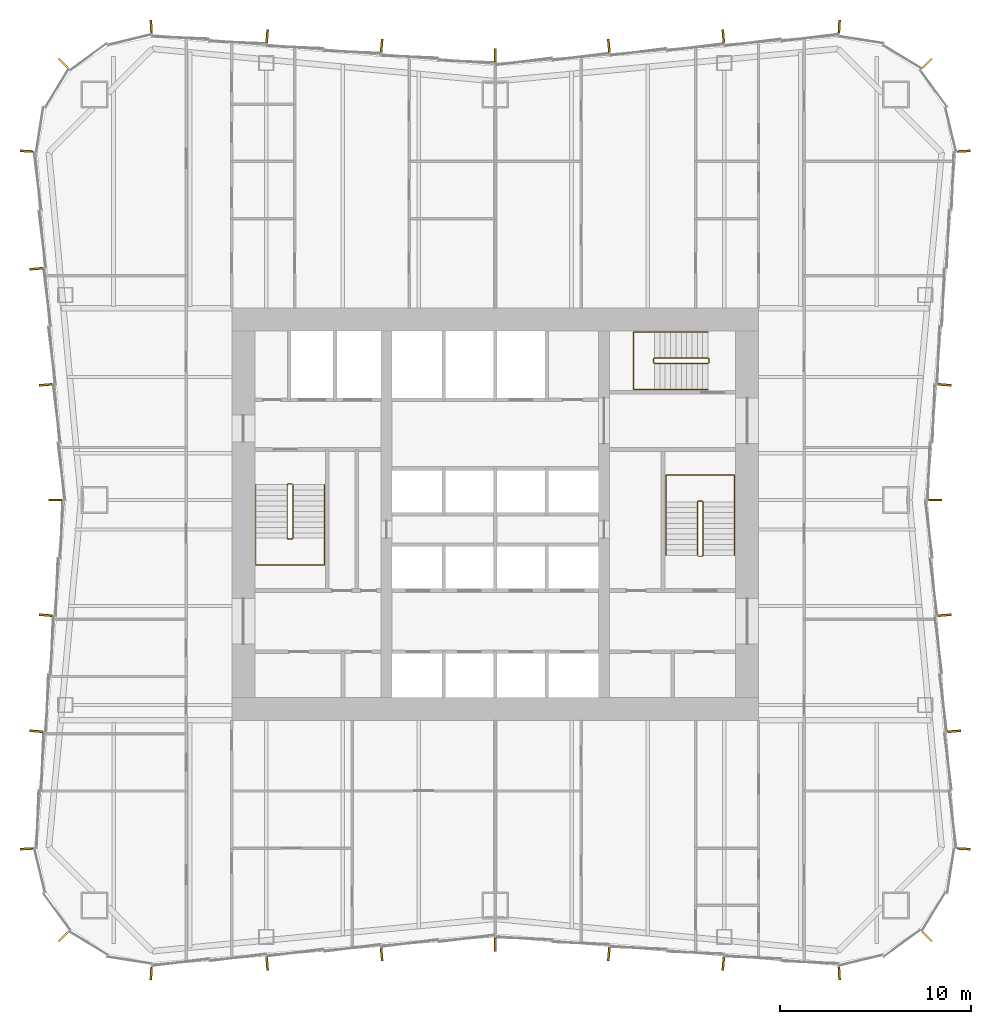
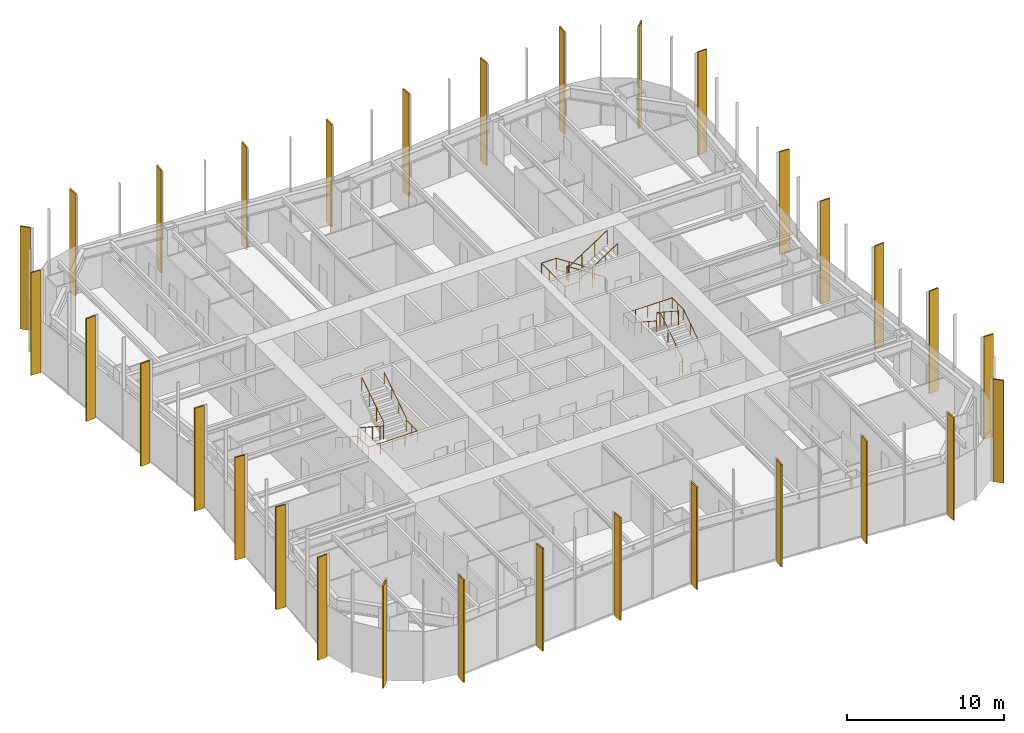
# One storey, part 13 of 13: 31 shading devices, 6 railings.
"""IFC4 building model written with IfcOpenShell, lengths in metres."""

import ifcopenshell
import ifcopenshell.guid

model = None  # the IFC model being written
_history = None  # IfcOwnerHistory: only IFC2X3 demands one
_inside = {}  # id of a spatial element -> (the spatial element, [elements in it])
_under = {}  # id of a project, library or spatial element -> (it, [spatial elements below it])
_declared = {}  # id of a project -> (the project, [libraries it declares])
_typed = {}  # id of a type object -> (the type object, [elements of that type])
_made_of = {}  # id of a material, layer set ... -> (it, [elements and type objects made of it])


def new_model(schema):
    """Start an empty IFC model of exactly this schema.

    Asked for "IFC4X3", IfcOpenShell would pick the latest addendum, in which some entities
    have other attributes; the version numbers below select the first issue.
    IFC2X3 requires an IfcOwnerHistory on every rooted entity: one is made here for all.
    """
    global model, _history
    if schema == "IFC4X3":
        model = ifcopenshell.file(schema_version=(4, 3, 0, 0))
    else:
        model = ifcopenshell.file(schema=schema)
    _inside.clear()
    _under.clear()
    _declared.clear()
    _typed.clear()
    _made_of.clear()
    _history = None
    if model.schema == "IFC2X3":
        org = make("IfcOrganization", Name="unknown")
        user = make(
            "IfcPersonAndOrganization",
            ThePerson=make("IfcPerson", FamilyName="unknown"),
            TheOrganization=org,
        )
        app = make(
            "IfcApplication",
            ApplicationDeveloper=org,
            Version="unknown",
            ApplicationFullName="unknown",
            ApplicationIdentifier="unknown",
        )
        _history = make(
            "IfcOwnerHistory",
            OwningUser=user,
            OwningApplication=app,
            ChangeAction="ADDED",
            CreationDate=0,
        )
    return model


def make(cls, **values):
    """One entity of the class cls with the attributes given. An attribute that is None is left unset."""
    return model.create_entity(
        cls, **{name: value for name, value in values.items() if value is not None}
    )


def rooted(cls, **values):
    """An entity with a GlobalId (a new one), such as an element, a storey or a relation."""
    return make(cls, GlobalId=ifcopenshell.guid.new(), OwnerHistory=_history, **values)


def si_unit(unit_type, name, prefix=None):
    """IfcSIUnit, for example si_unit("LENGTHUNIT", "METRE", prefix="MILLI")."""
    return make("IfcSIUnit", UnitType=unit_type, Prefix=prefix, Name=name)


def assignment(units):
    """IfcUnitAssignment: the units of a project."""
    return None if units is None else make("IfcUnitAssignment", Units=units)


def point(xyz):
    """IfcCartesianPoint."""
    return None if xyz is None else make("IfcCartesianPoint", Coordinates=xyz)


def direction(xyz):
    """IfcDirection."""
    return None if xyz is None else make("IfcDirection", DirectionRatios=xyz)


def frame(location, z_axis=None, x_axis=None):
    """IfcAxis2Placement3D, a coordinate frame: its origin and axes. An axis left out is left unset."""
    return make(
        "IfcAxis2Placement3D",
        Location=point(location),
        Axis=direction(z_axis),
        RefDirection=direction(x_axis),
    )


def frame_2d(location, x_axis=None):
    """IfcAxis2Placement2D, a coordinate frame in the plane: its origin and x axis."""
    return make(
        "IfcAxis2Placement2D", Location=point(location), RefDirection=direction(x_axis)
    )


def origin():
    """The frame at (0, 0, 0) with its axes left unset."""
    return frame((0.0, 0.0, 0.0))


def origin_2d():
    """The frame at (0, 0) in the plane with its x axis left unset."""
    return frame_2d((0.0, 0.0))


def place(relative_to, where):
    """IfcLocalPlacement: puts the frame where relative to a parent placement (None: the world)."""
    return make(
        "IfcLocalPlacement", PlacementRelTo=relative_to, RelativePlacement=where
    )


def context(
    kind, dimensions, precision=None, world=None, true_north=None, identifier=None
):
    """IfcGeometricRepresentationContext, for example the 3D "Model" context."""
    return make(
        "IfcGeometricRepresentationContext",
        ContextIdentifier=identifier,
        ContextType=kind,
        CoordinateSpaceDimension=dimensions,
        Precision=precision,
        WorldCoordinateSystem=world,
        TrueNorth=true_north,
    )


def subcontext(parent, identifier, kind, view, scale=None):
    """IfcGeometricRepresentationSubContext, for example "Body" below "Model"."""
    return make(
        "IfcGeometricRepresentationSubContext",
        ContextIdentifier=identifier,
        ContextType=kind,
        ParentContext=parent,
        TargetScale=scale,
        TargetView=view,
    )


def project(units=None, contexts=None):
    """IfcProject with its units and contexts."""
    return rooted(
        "IfcProject",
        Name="project",
        RepresentationContexts=contexts,
        UnitsInContext=assignment(units),
    )


def spatial(cls, under=None, at=None, **own):
    """A site, building, storey or space (cls), placed at a placement, below another one or the project."""
    s = rooted(cls, ObjectPlacement=at, **own)
    if under is not None:
        _under.setdefault(under.id(), (under, []))[1].append(s)
    return s


def profile(cls, at=None, kind="AREA", **sizes):
    """A parametric profile (cls). Its sizes go by their IFC names, for example OverallWidth=200.0."""
    return make(cls, ProfileType=kind, Position=at, **sizes)


def rectangle(**sizes):
    """IfcRectangleProfileDef."""
    return profile("IfcRectangleProfileDef", **sizes)


def circle(**sizes):
    """IfcCircleProfileDef."""
    return profile("IfcCircleProfileDef", **sizes)


def extrude(swept, where, along, depth):
    """IfcExtrudedAreaSolid: the profile swept, set in the frame where, extruded along a direction by depth."""
    return make(
        "IfcExtrudedAreaSolid",
        SweptArea=swept,
        Position=where,
        ExtrudedDirection=direction(along),
        Depth=depth,
    )


def shape(context_of_items, identifier, shape_type, items):
    """IfcShapeRepresentation: the items that make up one representation, for example the "Body"."""
    return make(
        "IfcShapeRepresentation",
        ContextOfItems=context_of_items,
        RepresentationIdentifier=identifier,
        RepresentationType=shape_type,
        Items=items,
    )


def material(Name=None, Category=None):
    """IfcMaterial."""
    return make("IfcMaterial", Name=Name, Category=Category)


def layer(
    of_material, thickness, ventilated=None, Name=None, Category=None, Priority=None
):
    """IfcMaterialLayer: one layer of a wall or slab, of a material (None: an air gap)."""
    return make(
        "IfcMaterialLayer",
        Material=of_material,
        LayerThickness=thickness,
        IsVentilated=ventilated,
        Name=Name,
        Category=Category,
        Priority=Priority,
    )


def layer_set(layers, Name=None):
    """IfcMaterialLayerSet."""
    return make("IfcMaterialLayerSet", MaterialLayers=layers, LayerSetName=Name)


def made_of(thing, what):
    """Note that an element or type object is made of a material, layer set ...; save() writes the relation."""
    if what is not None:
        _made_of.setdefault(what.id(), (what, []))[1].append(thing)
    return thing


def type_object(cls, material=None, **own):
    """A type object (cls), such as IfcWallType, which elements share."""
    return made_of(rooted(cls, **own), material)


def element(
    cls,
    number,
    at=None,
    inside=None,
    cuts=None,
    type_object=None,
    material=None,
    context=None,
    identifier="Body",
    shape_type=None,
    held_by="IfcProductDefinitionShape",
    body=None,
    shapes=None,
    **own,
):
    """One element of the class cls, such as IfcWall. Its Tag is "e" and its number.

    at: its placement. inside: the storey or other place that contains it. cuts: it is an
    opening in that element (IfcRelVoidsElement). A single representation is given by context,
    identifier, shape_type and body (its items); several are given by shapes. held_by: the class
    of the entity that holds the representations. save() writes the other relations.
    """
    e = rooted(cls, Tag="e%d" % number, ObjectPlacement=at, **own)
    if body is not None:
        shapes = [shape(context, identifier, shape_type, body)]
    if shapes is not None:
        e.Representation = make(held_by, Representations=shapes)
    if inside is not None:
        _inside.setdefault(inside.id(), (inside, []))[1].append(e)
    if cuts is not None:
        rooted(
            "IfcRelVoidsElement", RelatingBuildingElement=cuts, RelatedOpeningElement=e
        )
    if type_object is not None:
        _typed.setdefault(type_object.id(), (type_object, []))[1].append(e)
    return made_of(e, material)


def aggregate(whole, parts):
    """IfcRelAggregates: a whole, such as a stair, and the parts it consists of."""
    return rooted("IfcRelAggregates", RelatingObject=whole, RelatedObjects=parts)


def save(model, path):
    """Write the relations noted so far, then the file.

    IfcRelAggregates (storeys below a building ...), IfcRelContainedInSpatialStructure (elements
    in a storey), IfcRelDefinesByType, IfcRelAssociatesMaterial and IfcRelDeclares: one each for
    every whole, place, type object, material and project.
    """
    for whole, parts in _under.values():
        aggregate(whole, parts)
    for where, things in _inside.values():
        rooted(
            "IfcRelContainedInSpatialStructure",
            RelatedElements=things,
            RelatingStructure=where,
        )
    for kind, things in _typed.values():
        rooted("IfcRelDefinesByType", RelatedObjects=things, RelatingType=kind)
    for what, things in _made_of.values():
        rooted("IfcRelAssociatesMaterial", RelatedObjects=things, RelatingMaterial=what)
    for by, libraries in _declared.values():
        rooted("IfcRelDeclares", RelatingContext=by, RelatedDefinitions=libraries)
    model.write(path)


model = new_model("IFC4")

# Units and contexts
model_context = context("Model", 3, precision=1e-05, world=origin(), true_north=direction((0.0, 1.0)))
body_context = subcontext(model_context, "Body", "Model", "MODEL_VIEW")
ifc_project = project(units=[si_unit("LENGTHUNIT", "METRE"), si_unit("AREAUNIT", "SQUARE_METRE"), si_unit("VOLUMEUNIT", "CUBIC_METRE"), si_unit("PLANEANGLEUNIT", "RADIAN"), si_unit("MASSUNIT", "GRAM", prefix="KILO")], contexts=[model_context])

# Site, building, storey
site_placement = place(None, origin())
site = spatial("IfcSite", under=ifc_project, at=site_placement, CompositionType="ELEMENT")
building_placement = place(site_placement, origin())
building = spatial("IfcBuilding", under=site, at=building_placement, Name="Verdant Reach Tower", CompositionType="ELEMENT")
storey_placement = place(building_placement, frame((0.0, 0.0, 106.0)))
storey = spatial("IfcBuildingStorey", under=building, at=storey_placement, Name="L24", CompositionType="ELEMENT", Elevation=106.0)

# Railings
ifc_material_1 = material(Name="Stainless steel", Category="steel")
railing_type_1 = type_object("IfcRailingType", Name="CO-GUARD", PredefinedType="GUARDRAIL", material=ifc_material_1)
railing_1_placement = place(storey_placement, frame((-10.64990234375, 29.60009765625, 0.0)))
element("IfcRailing", 1, at=railing_1_placement, inside=storey, type_object=railing_type_1, Name="L24 ST-1 stair guard 1", PredefinedType="GUARDRAIL", context=body_context, shape_type="SweptSolid", body=[
    extrude(circle(Radius=0.02392578125, at=origin_2d()), frame((0.0, 0.0, 1.076171875), z_axis=(-1.0, 0.0, 0.0), x_axis=(0.0, -1.0, 0.0)), (0.0, 0.0, 1.0), 0.2001953125),
    extrude(circle(Radius=0.02392578125, at=origin_2d()), frame((-0.2001953125, 0.0, 1.076171875), z_axis=(-0.25526617399, -0.256517478764, 0.932222056972), x_axis=(0.708833529934, -0.705375805398, 0.0)), (0.0, 0.0, 1.0), 0.195068359375),
    extrude(circle(Radius=0.02392578125, at=origin_2d()), frame((-0.25, -0.050048828125, 1.2578125), z_axis=(0.0, -0.838705829183, 0.544584733623), x_axis=(1.0, 0.0, 0.0)), (0.0, 0.0, 1.0), 3.338623046875),
    extrude(circle(Radius=0.02392578125, at=origin_2d()), frame((-0.25, -2.85009765625, 3.076171875), z_axis=(0.705375805398, -0.708833529934, 0.0), x_axis=(0.708833529934, 0.705375805398, 0.0)), (0.0, 0.0, 1.0), 0.070556640625),
    extrude(circle(Radius=0.02392578125, at=origin_2d()), frame((-0.2001953125, -2.900146484375, 3.076171875), z_axis=(1.0, 0.0, 0.0), x_axis=(0.0, 1.0, 0.0)), (0.0, 0.0, 1.0), 0.2001953125),
    extrude(circle(Radius=0.02392578125, at=origin_2d()), frame((0.0, -2.900146484375, 3.076171875), z_axis=(0.25526617399, 0.256517478764, 0.932222056972), x_axis=(-0.708833529934, 0.705375805398, 0.0)), (0.0, 0.0, 1.0), 0.195068359375),
    extrude(circle(Radius=0.02392578125, at=origin_2d()), frame((0.0498046875, -2.85009765625, 3.2578125), z_axis=(0.0, 0.838705829183, 0.544584733623), x_axis=(-1.0, 0.0, 0.0)), (0.0, 0.0, 1.0), 3.338623046875),
    extrude(circle(Radius=0.02099609375, at=origin_2d()), origin(), (0.0, 0.0, 1.0), 1.052001953125),
    extrude(circle(Radius=0.02099609375, at=origin_2d()), frame((-0.2001953125, 0.0, 0.0)), (0.0, 0.0, 1.0), 1.052001953125),
    extrude(circle(Radius=0.02099609375, at=origin_2d()), frame((-0.25, -0.050048828125, 0.181884765625)), (0.0, 0.0, 1.0), 1.052001953125),
    extrude(circle(Radius=0.02099609375, at=origin_2d()), frame((-0.25, -0.9833984375, 0.787841796875)), (0.0, 0.0, 1.0), 1.052001953125),
    extrude(circle(Radius=0.02099609375, at=origin_2d()), frame((-0.25, -1.916748046875, 1.39404296875)), (0.0, 0.0, 1.0), 1.052001953125),
    extrude(circle(Radius=0.02099609375, at=origin_2d()), frame((-0.25, -2.85009765625, 2.0)), (0.0, 0.0, 1.0), 1.052001953125),
    extrude(circle(Radius=0.02099609375, at=origin_2d()), frame((-0.2001953125, -2.900146484375, 2.0)), (0.0, 0.0, 1.0), 1.052001953125),
    extrude(circle(Radius=0.02099609375, at=origin_2d()), frame((0.0, -2.900146484375, 2.0)), (0.0, 0.0, 1.0), 1.052001953125),
    extrude(circle(Radius=0.02099609375, at=origin_2d()), frame((0.0498046875, -2.85009765625, 2.181884765625)), (0.0, 0.0, 1.0), 1.052001953125),
    extrude(circle(Radius=0.02099609375, at=origin_2d()), frame((0.0498046875, -1.916748046875, 2.787841796875)), (0.0, 0.0, 1.0), 1.052001953125),
    extrude(circle(Radius=0.02099609375, at=origin_2d()), frame((0.0498046875, -0.9833984375, 3.39404296875)), (0.0, 0.0, 1.0), 1.052001953125),
    extrude(circle(Radius=0.02099609375, at=origin_2d()), frame((0.0498046875, -0.050048828125, 4.0)), (0.0, 0.0, 1.0), 1.052001953125),
])
railing_2_placement = place(storey_placement, frame((10.64990234375, 25.800048828125, 0.0)))
element("IfcRailing", 2, at=railing_2_placement, inside=storey, type_object=railing_type_1, Name="L24 ST-2 stair guard 1", PredefinedType="GUARDRAIL", context=body_context, shape_type="SweptSolid", body=[
    extrude(circle(Radius=0.02392578125, at=origin_2d()), frame((0.0, 0.0, 1.076171875), z_axis=(1.0, 0.0, 0.0), x_axis=(0.0, 1.0, 0.0)), (0.0, 0.0, 1.0), 0.2001953125),
    extrude(circle(Radius=0.02392578125, at=origin_2d()), frame((0.2001953125, 0.0, 1.076171875), z_axis=(0.25526617399, 0.256517478764, 0.932222056972), x_axis=(-0.708833529934, 0.705375805398, 0.0)), (0.0, 0.0, 1.0), 0.195068359375),
    extrude(circle(Radius=0.02392578125, at=origin_2d()), frame((0.25, 0.050048828125, 1.2578125), z_axis=(0.0, 0.83868413941, 0.544618136222), x_axis=(-1.0, 0.0, 0.0)), (0.0, 0.0, 1.0), 3.33837890625),
    extrude(circle(Radius=0.02392578125, at=origin_2d()), frame((0.25, 2.849853515625, 3.076171875), z_axis=(-0.705375805398, 0.708833529934, 0.0), x_axis=(-0.708833529934, -0.705375805398, 0.0)), (0.0, 0.0, 1.0), 0.070556640625),
    extrude(circle(Radius=0.02392578125, at=origin_2d()), frame((0.2001953125, 2.89990234375, 3.076171875), z_axis=(-1.0, 0.0, 0.0), x_axis=(0.0, -1.0, 0.0)), (0.0, 0.0, 1.0), 0.2001953125),
    extrude(circle(Radius=0.02392578125, at=origin_2d()), frame((0.0, 2.89990234375, 3.076171875), z_axis=(-0.25526617399, -0.256517478764, 0.932222056972), x_axis=(0.708833529934, -0.705375805398, 0.0)), (0.0, 0.0, 1.0), 0.195068359375),
    extrude(circle(Radius=0.02392578125, at=origin_2d()), frame((-0.0498046875, 2.849853515625, 3.2578125), z_axis=(0.0, -0.83868413941, 0.544618136222), x_axis=(1.0, 0.0, 0.0)), (0.0, 0.0, 1.0), 3.33837890625),
    extrude(circle(Radius=0.02099609375, at=origin_2d()), origin(), (0.0, 0.0, 1.0), 1.052001953125),
    extrude(circle(Radius=0.02099609375, at=origin_2d()), frame((0.2001953125, 0.0, 0.0)), (0.0, 0.0, 1.0), 1.052001953125),
    extrude(circle(Radius=0.02099609375, at=origin_2d()), frame((0.25, 0.050048828125, 0.181884765625)), (0.0, 0.0, 1.0), 1.052001953125),
    extrude(circle(Radius=0.02099609375, at=origin_2d()), frame((0.25, 0.9833984375, 0.787841796875)), (0.0, 0.0, 1.0), 1.052001953125),
    extrude(circle(Radius=0.02099609375, at=origin_2d()), frame((0.25, 1.91650390625, 1.39404296875)), (0.0, 0.0, 1.0), 1.052001953125),
    extrude(circle(Radius=0.02099609375, at=origin_2d()), frame((0.25, 2.849853515625, 2.0)), (0.0, 0.0, 1.0), 1.052001953125),
    extrude(circle(Radius=0.02099609375, at=origin_2d()), frame((0.2001953125, 2.89990234375, 2.0)), (0.0, 0.0, 1.0), 1.052001953125),
    extrude(circle(Radius=0.02099609375, at=origin_2d()), frame((0.0, 2.89990234375, 2.0)), (0.0, 0.0, 1.0), 1.052001953125),
    extrude(circle(Radius=0.02099609375, at=origin_2d()), frame((-0.0498046875, 2.849853515625, 2.181884765625)), (0.0, 0.0, 1.0), 1.052001953125),
    extrude(circle(Radius=0.02099609375, at=origin_2d()), frame((-0.0498046875, 1.91650390625, 2.787841796875)), (0.0, 0.0, 1.0), 1.052001953125),
    extrude(circle(Radius=0.02099609375, at=origin_2d()), frame((-0.0498046875, 0.9833984375, 3.39404296875)), (0.0, 0.0, 1.0), 1.052001953125),
    extrude(circle(Radius=0.02099609375, at=origin_2d()), frame((-0.0498046875, 0.050048828125, 4.0)), (0.0, 0.0, 1.0), 1.052001953125),
])
railing_3_placement = place(storey_placement, frame((11.199951171875, 35.949951171875, 0.0)))
element("IfcRailing", 3, at=railing_3_placement, inside=storey, type_object=railing_type_1, Name="L24 ST-3 stair guard 1", PredefinedType="GUARDRAIL", context=body_context, shape_type="SweptSolid", body=[
    extrude(circle(Radius=0.02392578125, at=origin_2d()), frame((0.0, 0.0, 1.076171875), z_axis=(0.0, 1.0, 0.0), x_axis=(-1.0, 0.0, 0.0)), (0.0, 0.0, 1.0), 0.199951171875),
    extrude(circle(Radius=0.02392578125, at=origin_2d()), frame((0.0, 0.199951171875, 1.076171875), z_axis=(-0.256435381639, 0.256435381639, 0.931923704005), x_axis=(-0.707106781187, -0.707106781187, 0.0)), (0.0, 0.0, 1.0), 0.195068359375),
    extrude(circle(Radius=0.02392578125, at=origin_2d()), frame((-0.050048828125, 0.25, 1.2578125), z_axis=(-0.83868413941, 0.0, 0.544618136222), x_axis=(0.0, -1.0, 0.0)), (0.0, 0.0, 1.0), 3.33837890625),
    extrude(circle(Radius=0.02392578125, at=origin_2d()), frame((-2.849853515625, 0.25, 3.076171875), z_axis=(-0.707106781187, -0.707106781187, 0.0), x_axis=(0.707106781187, -0.707106781187, 0.0)), (0.0, 0.0, 1.0), 0.07080078125),
    extrude(circle(Radius=0.02392578125, at=origin_2d()), frame((-2.89990234375, 0.199951171875, 3.076171875), z_axis=(0.0, -1.0, 0.0), x_axis=(1.0, 0.0, 0.0)), (0.0, 0.0, 1.0), 0.199951171875),
    extrude(circle(Radius=0.02392578125, at=origin_2d()), frame((-2.89990234375, 0.0, 3.076171875), z_axis=(0.256435381639, -0.256435381639, 0.931923704005), x_axis=(0.707106781187, 0.707106781187, 0.0)), (0.0, 0.0, 1.0), 0.195068359375),
    extrude(circle(Radius=0.02392578125, at=origin_2d()), frame((-2.849853515625, -0.050048828125, 3.2578125), z_axis=(0.83868413941, 0.0, 0.544618136222), x_axis=(0.0, 1.0, 0.0)), (0.0, 0.0, 1.0), 3.33837890625),
    extrude(circle(Radius=0.02099609375, at=origin_2d()), origin(), (0.0, 0.0, 1.0), 1.052001953125),
    extrude(circle(Radius=0.02099609375, at=origin_2d()), frame((0.0, 0.199951171875, 0.0)), (0.0, 0.0, 1.0), 1.052001953125),
    extrude(circle(Radius=0.02099609375, at=origin_2d()), frame((-0.050048828125, 0.25, 0.181884765625)), (0.0, 0.0, 1.0), 1.052001953125),
    extrude(circle(Radius=0.02099609375, at=origin_2d()), frame((-0.9833984375, 0.25, 0.787841796875)), (0.0, 0.0, 1.0), 1.052001953125),
    extrude(circle(Radius=0.02099609375, at=origin_2d()), frame((-1.91650390625, 0.25, 1.39404296875)), (0.0, 0.0, 1.0), 1.052001953125),
    extrude(circle(Radius=0.02099609375, at=origin_2d()), frame((-2.849853515625, 0.25, 2.0)), (0.0, 0.0, 1.0), 1.052001953125),
    extrude(circle(Radius=0.02099609375, at=origin_2d()), frame((-2.89990234375, 0.199951171875, 2.0)), (0.0, 0.0, 1.0), 1.052001953125),
    extrude(circle(Radius=0.02099609375, at=origin_2d()), frame((-2.89990234375, 0.0, 2.0)), (0.0, 0.0, 1.0), 1.052001953125),
    extrude(circle(Radius=0.02099609375, at=origin_2d()), frame((-2.849853515625, -0.050048828125, 2.181884765625)), (0.0, 0.0, 1.0), 1.052001953125),
    extrude(circle(Radius=0.02099609375, at=origin_2d()), frame((-1.91650390625, -0.050048828125, 2.787841796875)), (0.0, 0.0, 1.0), 1.052001953125),
    extrude(circle(Radius=0.02099609375, at=origin_2d()), frame((-0.9833984375, -0.050048828125, 3.39404296875)), (0.0, 0.0, 1.0), 1.052001953125),
    extrude(circle(Radius=0.02099609375, at=origin_2d()), frame((-0.050048828125, -0.050048828125, 4.0)), (0.0, 0.0, 1.0), 1.052001953125),
])
railing_type_2 = type_object("IfcRailingType", Name="CO-HANDRAIL", PredefinedType="HANDRAIL", material=ifc_material_1)
railing_4_placement = place(storey_placement, frame((-12.550048828125, 29.550048828125, 0.181884765625)))
element("IfcRailing", 4, at=railing_4_placement, inside=storey, type_object=railing_type_2, Name="L24 ST-1 stair handrail 1", PredefinedType="HANDRAIL", context=body_context, shape_type="SweptSolid", body=[
    extrude(circle(Radius=0.02392578125, at=origin_2d()), frame((0.0, 0.0, 0.8759765625), z_axis=(0.0, -0.838705829183, 0.544584733623), x_axis=(1.0, 0.0, 0.0)), (0.0, 0.0, 1.0), 3.338623046875),
    extrude(circle(Radius=0.02392578125, at=origin_2d()), frame((0.0, -2.800048828125, 2.69384765625), z_axis=(0.0, -1.0, 0.0), x_axis=(1.0, 0.0, 0.0)), (0.0, 0.0, 1.0), 1.39990234375),
    extrude(circle(Radius=0.02392578125, at=origin_2d()), frame((0.0, -4.199951171875, 2.69384765625), z_axis=(1.0, 0.0, 0.0), x_axis=(0.0, 1.0, 0.0)), (0.0, 0.0, 1.0), 3.60009765625),
    extrude(circle(Radius=0.02392578125, at=origin_2d()), frame((3.60009765625, -4.199951171875, 2.69384765625), z_axis=(0.0, 1.0, 0.0), x_axis=(-1.0, 0.0, 0.0)), (0.0, 0.0, 1.0), 1.39990234375),
    extrude(circle(Radius=0.02392578125, at=origin_2d()), frame((3.60009765625, -2.800048828125, 2.69384765625), z_axis=(0.0, 0.0, 1.0), x_axis=(1.0, 0.0, 0.0)), (0.0, 0.0, 1.0), 0.181884765625),
    extrude(circle(Radius=0.02392578125, at=origin_2d()), frame((3.60009765625, -2.800048828125, 2.8759765625), z_axis=(0.0, 0.838705829183, 0.544584733623), x_axis=(-1.0, 0.0, 0.0)), (0.0, 0.0, 1.0), 3.338623046875),
    extrude(circle(Radius=0.02099609375, at=origin_2d()), origin(), (0.0, 0.0, 1.0), 0.851806640625),
    extrude(circle(Radius=0.02099609375, at=origin_2d()), frame((0.0, -0.933349609375, 0.60595703125)), (0.0, 0.0, 1.0), 0.851806640625),
    extrude(circle(Radius=0.02099609375, at=origin_2d()), frame((0.0, -1.86669921875, 1.212158203125)), (0.0, 0.0, 1.0), 0.851806640625),
    extrude(circle(Radius=0.02099609375, at=origin_2d()), frame((0.0, -2.800048828125, 1.818115234375)), (0.0, 0.0, 1.0), 0.851806640625),
    extrude(circle(Radius=0.02099609375, at=origin_2d()), frame((0.0, -3.5, 1.818115234375)), (0.0, 0.0, 1.0), 0.851806640625),
    extrude(circle(Radius=0.02099609375, at=origin_2d()), frame((0.0, -4.199951171875, 1.818115234375)), (0.0, 0.0, 1.0), 0.851806640625),
    extrude(circle(Radius=0.02099609375, at=origin_2d()), frame((0.89990234375, -4.199951171875, 1.818115234375)), (0.0, 0.0, 1.0), 0.851806640625),
    extrude(circle(Radius=0.02099609375, at=origin_2d()), frame((1.800048828125, -4.199951171875, 1.818115234375)), (0.0, 0.0, 1.0), 0.851806640625),
    extrude(circle(Radius=0.02099609375, at=origin_2d()), frame((2.7001953125, -4.199951171875, 1.818115234375)), (0.0, 0.0, 1.0), 0.851806640625),
    extrude(circle(Radius=0.02099609375, at=origin_2d()), frame((3.60009765625, -4.199951171875, 1.818115234375)), (0.0, 0.0, 1.0), 0.851806640625),
    extrude(circle(Radius=0.02099609375, at=origin_2d()), frame((3.60009765625, -3.5, 1.818115234375)), (0.0, 0.0, 1.0), 0.851806640625),
    extrude(circle(Radius=0.02099609375, at=origin_2d()), frame((3.60009765625, -2.800048828125, 1.818115234375)), (0.0, 0.0, 1.0), 0.851806640625),
    extrude(circle(Radius=0.02099609375, at=origin_2d()), frame((3.60009765625, -2.800048828125, 2.0)), (0.0, 0.0, 1.0), 0.851806640625),
    extrude(circle(Radius=0.02099609375, at=origin_2d()), frame((3.60009765625, -1.86669921875, 2.60595703125)), (0.0, 0.0, 1.0), 0.851806640625),
    extrude(circle(Radius=0.02099609375, at=origin_2d()), frame((3.60009765625, -0.933349609375, 3.212158203125)), (0.0, 0.0, 1.0), 0.851806640625),
    extrude(circle(Radius=0.02099609375, at=origin_2d()), frame((3.60009765625, 0.0, 3.818115234375)), (0.0, 0.0, 1.0), 0.851806640625),
])
railing_5_placement = place(storey_placement, frame((12.550048828125, 25.85009765625, 0.181884765625)))
element("IfcRailing", 5, at=railing_5_placement, inside=storey, type_object=railing_type_2, Name="L24 ST-2 stair handrail 1", PredefinedType="HANDRAIL", context=body_context, shape_type="SweptSolid", body=[
    extrude(circle(Radius=0.02392578125, at=origin_2d()), frame((0.0, 0.0, 0.8759765625), z_axis=(0.0, 0.83868413941, 0.544618136222), x_axis=(-1.0, 0.0, 0.0)), (0.0, 0.0, 1.0), 3.33837890625),
    extrude(circle(Radius=0.02392578125, at=origin_2d()), frame((0.0, 2.7998046875, 2.69384765625), z_axis=(0.0, 1.0, 0.0), x_axis=(-1.0, 0.0, 0.0)), (0.0, 0.0, 1.0), 1.400146484375),
    extrude(circle(Radius=0.02392578125, at=origin_2d()), frame((0.0, 4.199951171875, 2.69384765625), z_axis=(-1.0, 0.0, 0.0), x_axis=(0.0, -1.0, 0.0)), (0.0, 0.0, 1.0), 3.60009765625),
    extrude(circle(Radius=0.02392578125, at=origin_2d()), frame((-3.60009765625, 4.199951171875, 2.69384765625), z_axis=(0.0, -1.0, 0.0), x_axis=(1.0, 0.0, 0.0)), (0.0, 0.0, 1.0), 1.400146484375),
    extrude(circle(Radius=0.02392578125, at=origin_2d()), frame((-3.60009765625, 2.7998046875, 2.69384765625), z_axis=(0.0, 0.0, 1.0), x_axis=(1.0, 0.0, 0.0)), (0.0, 0.0, 1.0), 0.181884765625),
    extrude(circle(Radius=0.02392578125, at=origin_2d()), frame((-3.60009765625, 2.7998046875, 2.8759765625), z_axis=(0.0, -0.83868413941, 0.544618136222), x_axis=(1.0, 0.0, 0.0)), (0.0, 0.0, 1.0), 3.33837890625),
    extrude(circle(Radius=0.02099609375, at=origin_2d()), origin(), (0.0, 0.0, 1.0), 0.851806640625),
    extrude(circle(Radius=0.02099609375, at=origin_2d()), frame((0.0, 0.933349609375, 0.60595703125)), (0.0, 0.0, 1.0), 0.851806640625),
    extrude(circle(Radius=0.02099609375, at=origin_2d()), frame((0.0, 1.866455078125, 1.212158203125)), (0.0, 0.0, 1.0), 0.851806640625),
    extrude(circle(Radius=0.02099609375, at=origin_2d()), frame((0.0, 2.7998046875, 1.818115234375)), (0.0, 0.0, 1.0), 0.851806640625),
    extrude(circle(Radius=0.02099609375, at=origin_2d()), frame((0.0, 3.5, 1.818115234375)), (0.0, 0.0, 1.0), 0.851806640625),
    extrude(circle(Radius=0.02099609375, at=origin_2d()), frame((0.0, 4.199951171875, 1.818115234375)), (0.0, 0.0, 1.0), 0.851806640625),
    extrude(circle(Radius=0.02099609375, at=origin_2d()), frame((-0.89990234375, 4.199951171875, 1.818115234375)), (0.0, 0.0, 1.0), 0.851806640625),
    extrude(circle(Radius=0.02099609375, at=origin_2d()), frame((-1.800048828125, 4.199951171875, 1.818115234375)), (0.0, 0.0, 1.0), 0.851806640625),
    extrude(circle(Radius=0.02099609375, at=origin_2d()), frame((-2.7001953125, 4.199951171875, 1.818115234375)), (0.0, 0.0, 1.0), 0.851806640625),
    extrude(circle(Radius=0.02099609375, at=origin_2d()), frame((-3.60009765625, 4.199951171875, 1.818115234375)), (0.0, 0.0, 1.0), 0.851806640625),
    extrude(circle(Radius=0.02099609375, at=origin_2d()), frame((-3.60009765625, 3.5, 1.818115234375)), (0.0, 0.0, 1.0), 0.851806640625),
    extrude(circle(Radius=0.02099609375, at=origin_2d()), frame((-3.60009765625, 2.7998046875, 1.818115234375)), (0.0, 0.0, 1.0), 0.851806640625),
    extrude(circle(Radius=0.02099609375, at=origin_2d()), frame((-3.60009765625, 2.7998046875, 2.0)), (0.0, 0.0, 1.0), 0.851806640625),
    extrude(circle(Radius=0.02099609375, at=origin_2d()), frame((-3.60009765625, 1.866455078125, 2.60595703125)), (0.0, 0.0, 1.0), 0.851806640625),
    extrude(circle(Radius=0.02099609375, at=origin_2d()), frame((-3.60009765625, 0.933349609375, 3.212158203125)), (0.0, 0.0, 1.0), 0.851806640625),
    extrude(circle(Radius=0.02099609375, at=origin_2d()), frame((-3.60009765625, 0.0, 3.818115234375)), (0.0, 0.0, 1.0), 0.851806640625),
])
railing_6_placement = place(storey_placement, frame((11.14990234375, 37.550048828125, 0.181884765625)))
element("IfcRailing", 6, at=railing_6_placement, inside=storey, type_object=railing_type_2, Name="L24 ST-3 stair handrail 1", PredefinedType="HANDRAIL", context=body_context, shape_type="SweptSolid", body=[
    extrude(circle(Radius=0.02392578125, at=origin_2d()), frame((0.0, 0.0, 0.8759765625), z_axis=(-0.83868413941, 0.0, 0.544618136222), x_axis=(0.0, -1.0, 0.0)), (0.0, 0.0, 1.0), 3.33837890625),
    extrude(circle(Radius=0.02392578125, at=origin_2d()), frame((-2.7998046875, 0.0, 2.69384765625), z_axis=(-1.0, 0.0, 0.0), x_axis=(0.0, -1.0, 0.0)), (0.0, 0.0, 1.0), 1.10009765625),
    extrude(circle(Radius=0.02392578125, at=origin_2d()), frame((-3.89990234375, 0.0, 2.69384765625), z_axis=(0.0, -1.0, 0.0), x_axis=(1.0, 0.0, 0.0)), (0.0, 0.0, 1.0), 3.0),
    extrude(circle(Radius=0.02392578125, at=origin_2d()), frame((-3.89990234375, -3.0, 2.69384765625), z_axis=(1.0, 0.0, 0.0), x_axis=(0.0, 1.0, 0.0)), (0.0, 0.0, 1.0), 1.10009765625),
    extrude(circle(Radius=0.02392578125, at=origin_2d()), frame((-2.7998046875, -3.0, 2.69384765625), z_axis=(0.0, 0.0, 1.0), x_axis=(1.0, 0.0, 0.0)), (0.0, 0.0, 1.0), 0.181884765625),
    extrude(circle(Radius=0.02392578125, at=origin_2d()), frame((-2.7998046875, -3.0, 2.8759765625), z_axis=(0.83868413941, 0.0, 0.544618136222), x_axis=(0.0, 1.0, 0.0)), (0.0, 0.0, 1.0), 3.33837890625),
    extrude(circle(Radius=0.02099609375, at=origin_2d()), origin(), (0.0, 0.0, 1.0), 0.851806640625),
    extrude(circle(Radius=0.02099609375, at=origin_2d()), frame((-0.933349609375, 0.0, 0.60595703125)), (0.0, 0.0, 1.0), 0.851806640625),
    extrude(circle(Radius=0.02099609375, at=origin_2d()), frame((-1.866455078125, 0.0, 1.212158203125)), (0.0, 0.0, 1.0), 0.851806640625),
    extrude(circle(Radius=0.02099609375, at=origin_2d()), frame((-2.7998046875, 0.0, 1.818115234375)), (0.0, 0.0, 1.0), 0.851806640625),
    extrude(circle(Radius=0.02099609375, at=origin_2d()), frame((-3.89990234375, 0.0, 1.818115234375)), (0.0, 0.0, 1.0), 0.851806640625),
    extrude(circle(Radius=0.02099609375, at=origin_2d()), frame((-3.89990234375, -1.0, 1.818115234375)), (0.0, 0.0, 1.0), 0.851806640625),
    extrude(circle(Radius=0.02099609375, at=origin_2d()), frame((-3.89990234375, -2.0, 1.818115234375)), (0.0, 0.0, 1.0), 0.851806640625),
    extrude(circle(Radius=0.02099609375, at=origin_2d()), frame((-3.89990234375, -3.0, 1.818115234375)), (0.0, 0.0, 1.0), 0.851806640625),
    extrude(circle(Radius=0.02099609375, at=origin_2d()), frame((-2.7998046875, -3.0, 1.818115234375)), (0.0, 0.0, 1.0), 0.851806640625),
    extrude(circle(Radius=0.02099609375, at=origin_2d()), frame((-2.7998046875, -3.0, 2.0)), (0.0, 0.0, 1.0), 0.851806640625),
    extrude(circle(Radius=0.02099609375, at=origin_2d()), frame((-1.866455078125, -3.0, 2.60595703125)), (0.0, 0.0, 1.0), 0.851806640625),
    extrude(circle(Radius=0.02099609375, at=origin_2d()), frame((-0.933349609375, -3.0, 3.212158203125)), (0.0, 0.0, 1.0), 0.851806640625),
    extrude(circle(Radius=0.02099609375, at=origin_2d()), frame((0.0, -3.0, 3.818115234375)), (0.0, 0.0, 1.0), 0.851806640625),
])

# Shading devices
ifc_material_2 = material(Name="Bronze fin, champagne", Category="aluminium")
ifc_layer_1 = layer(ifc_material_2, 0.10009765625)
ifc_layer_set_1 = layer_set([ifc_layer_1], Name="EN-FIN CHAMPAGNE")
shading_device_type_1 = type_object("IfcShadingDeviceType", Name="EN-FIN CHAMPAGNE", PredefinedType="USERDEFINED", material=ifc_layer_set_1)
for number, where, z_axis, x_axis, name in (
    (7, (23.55419921875, 22.712158203125, -0.35009765625), (0.0, 0.0, 1.0), (-0.081915556724, 0.996639273542, 0.0), "Fin east face part 1 5, L24"),
    (8, (11.953857421875, 53.05419921875, -0.35009765625), (0.0, 0.0, 1.0), (-0.996545758244, -0.083045479859, 0.0), "Fin north face part 1 3, L24"),
    (9, (-5.953857421875, 52.55419921875, -0.35009765625), (0.0, 0.0, 1.0), (-0.996545758244, 0.083045479859, 0.0), "Fin north face part 2 3, L24"),
    (10, (-11.953857421875, 53.05419921875, -0.35009765625), (0.0, 0.0, 1.0), (-0.996545758244, 0.083045479859, 0.0), "Fin north face part 2 5, L24"),
    (11, (-22.6357421875, 51.6357421875, -0.35009765625), (0.0, 0.0, 1.0), (-0.707106781187, -0.707106781187, 0.0), "Fin north-west corner 3, L24"),
    (12, (-24.55517578125, 47.03173828125, -0.35009765625), (0.0, 0.0, 1.0), (-0.057135164055, -0.998366452275, 0.0), "Fin west face part 1 1, L24"),
    (13, (-23.55419921875, 22.712158203125, -0.35009765625), (0.0, 0.0, 1.0), (-0.081915556724, -0.996639273542, 0.0), "Fin west face part 2 3, L24"),
    (14, (-24.55517578125, 10.46826171875, -0.35009765625), (0.0, 0.0, 1.0), (0.057135164055, -0.998366452275, 0.0), "Fin south-west corner 1, L24"),
    (15, (-5.953857421875, 4.94580078125, -0.35009765625), (0.0, 0.0, 1.0), (0.996545758244, 0.083045479859, 0.0), "Fin south face part 1 5, L24"),
    (16, (0.0, 5.444091796875, -0.35009765625), (0.0, 0.0, 1.0), (1.0, 0.0, 0.0), "Fin south face part 2 1, L24"),
):
    element("IfcShadingDevice", number, at=place(storey_placement, frame(where, z_axis=z_axis, x_axis=x_axis)), inside=storey, type_object=shading_device_type_1, Name=name, ObjectType="FIN", PredefinedType="USERDEFINED", context=body_context, shape_type="SweptSolid", body=[
        extrude(rectangle(XDim=0.10009765625, YDim=0.699951171875, at=origin_2d()), origin(), (0.0, 0.0, 1.0), 8.0),
    ])
ifc_material_3 = material(Name="Bronze fin, copper", Category="aluminium")
ifc_layer_2 = layer(ifc_material_3, 0.10009765625)
ifc_layer_set_2 = layer_set([ifc_layer_2], Name="EN-FIN COPPER")
shading_device_type_2 = type_object("IfcShadingDeviceType", Name="EN-FIN COPPER", PredefinedType="USERDEFINED", material=ifc_layer_set_2)
for number, where, z_axis, x_axis, name in (
    (17, (18.031494140625, 3.94482421875, -0.35009765625), (0.0, 0.0, 1.0), (0.998398681387, 0.056569187765, 0.0), "Fin south-east corner 1, L24"),
    (18, (23.055908203125, 28.75, -0.35009765625), (0.0, 0.0, 1.0), (0.0, 1.0, 0.0), "Fin east face part 2 1, L24"),
    (19, (5.953857421875, 52.55419921875, -0.35009765625), (0.0, 0.0, 1.0), (-0.996545758244, -0.083045479859, 0.0), "Fin north face part 1 5, L24"),
    (20, (-24.05419921875, 40.87109375, -0.35009765625), (0.0, 0.0, 1.0), (0.081915556724, -0.996639273542, 0.0), "Fin west face part 1 3, L24"),
    (21, (-24.05419921875, 16.62890625, -0.35009765625), (0.0, 0.0, 1.0), (-0.081915556724, -0.996639273542, 0.0), "Fin west face part 2 5, L24"),
    (22, (-22.6357421875, 5.8642578125, -0.35009765625), (0.0, 0.0, 1.0), (0.707106781187, -0.707106781187, 0.0), "Fin south-west corner 3, L24"),
    (23, (-18.031494140625, 3.94482421875, -0.35009765625), (0.0, 0.0, 1.0), (0.998398681387, -0.056569187765, 0.0), "Fin south face part 1 1, L24"),
    (24, (5.953857421875, 4.94580078125, -0.35009765625), (0.0, 0.0, 1.0), (0.996545758244, -0.083045479859, 0.0), "Fin south face part 2 3, L24"),
):
    element("IfcShadingDevice", number, at=place(storey_placement, frame(where, z_axis=z_axis, x_axis=x_axis)), inside=storey, type_object=shading_device_type_2, Name=name, ObjectType="FIN", PredefinedType="USERDEFINED", context=body_context, shape_type="SweptSolid", body=[
        extrude(rectangle(XDim=0.10009765625, YDim=0.699951171875, at=origin_2d()), origin(), (0.0, 0.0, 1.0), 8.0),
    ])
ifc_material_4 = material(Name="Bronze fin, dark bronze", Category="aluminium")
ifc_layer_3 = layer(ifc_material_4, 0.10009765625)
ifc_layer_set_3 = layer_set([ifc_layer_3], Name="EN-FIN DARK")
shading_device_type_3 = type_object("IfcShadingDeviceType", Name="EN-FIN DARK", PredefinedType="USERDEFINED", material=ifc_layer_set_3)
for number, where, z_axis, x_axis, name in (
    (25, (22.6357421875, 5.8642578125, -0.35009765625), (0.0, 0.0, 1.0), (0.707106781187, 0.707106781187, 0.0), "Fin south-east corner 3, L24"),
    (26, (24.55517578125, 10.46826171875, -0.35009765625), (0.0, 0.0, 1.0), (0.057135164055, 0.998366452275, 0.0), "Fin east face part 1 1, L24"),
    (27, (24.05419921875, 16.62890625, -0.35009765625), (0.0, 0.0, 1.0), (-0.081915556724, 0.996639273542, 0.0), "Fin east face part 1 3, L24"),
    (28, (23.55419921875, 34.787841796875, -0.35009765625), (0.0, 0.0, 1.0), (0.081915556724, 0.996639273542, 0.0), "Fin east face part 2 3, L24"),
    (29, (24.55517578125, 47.03173828125, -0.35009765625), (0.0, 0.0, 1.0), (-0.057135164055, 0.998366452275, 0.0), "Fin north-east corner 1, L24"),
    (30, (22.6357421875, 51.6357421875, -0.35009765625), (0.0, 0.0, 1.0), (-0.707106781187, 0.707106781187, 0.0), "Fin north-east corner 3, L24"),
    (31, (18.031494140625, 53.55517578125, -0.35009765625), (0.0, 0.0, 1.0), (-0.998398681387, 0.056569187765, 0.0), "Fin north face part 1 1, L24"),
    (32, (0.0, 52.055908203125, -0.35009765625), (0.0, 0.0, 1.0), (-1.0, 0.0, 0.0), "Fin north face part 2 1, L24"),
    (33, (-18.031494140625, 53.55517578125, -0.35009765625), (0.0, 0.0, 1.0), (-0.998398681387, -0.056569187765, 0.0), "Fin north-west corner 1, L24"),
    (34, (-23.55419921875, 34.787841796875, -0.35009765625), (0.0, 0.0, 1.0), (0.081915556724, -0.996639273542, 0.0), "Fin west face part 1 5, L24"),
    (35, (-23.055908203125, 28.75, -0.35009765625), (0.0, 0.0, 1.0), (0.0, -1.0, 0.0), "Fin west face part 2 1, L24"),
    (36, (-11.953857421875, 4.44580078125, -0.35009765625), (0.0, 0.0, 1.0), (0.996545758244, 0.083045479859, 0.0), "Fin south face part 1 3, L24"),
    (37, (11.953857421875, 4.44580078125, -0.35009765625), (0.0, 0.0, 1.0), (0.996545758244, -0.083045479859, 0.0), "Fin south face part 2 5, L24"),
):
    element("IfcShadingDevice", number, at=place(storey_placement, frame(where, z_axis=z_axis, x_axis=x_axis)), inside=storey, type_object=shading_device_type_3, Name=name, ObjectType="FIN", PredefinedType="USERDEFINED", context=body_context, shape_type="SweptSolid", body=[
        extrude(rectangle(XDim=0.10009765625, YDim=0.699951171875, at=origin_2d()), origin(), (0.0, 0.0, 1.0), 8.0),
    ])

save(model, "model.ifc")
